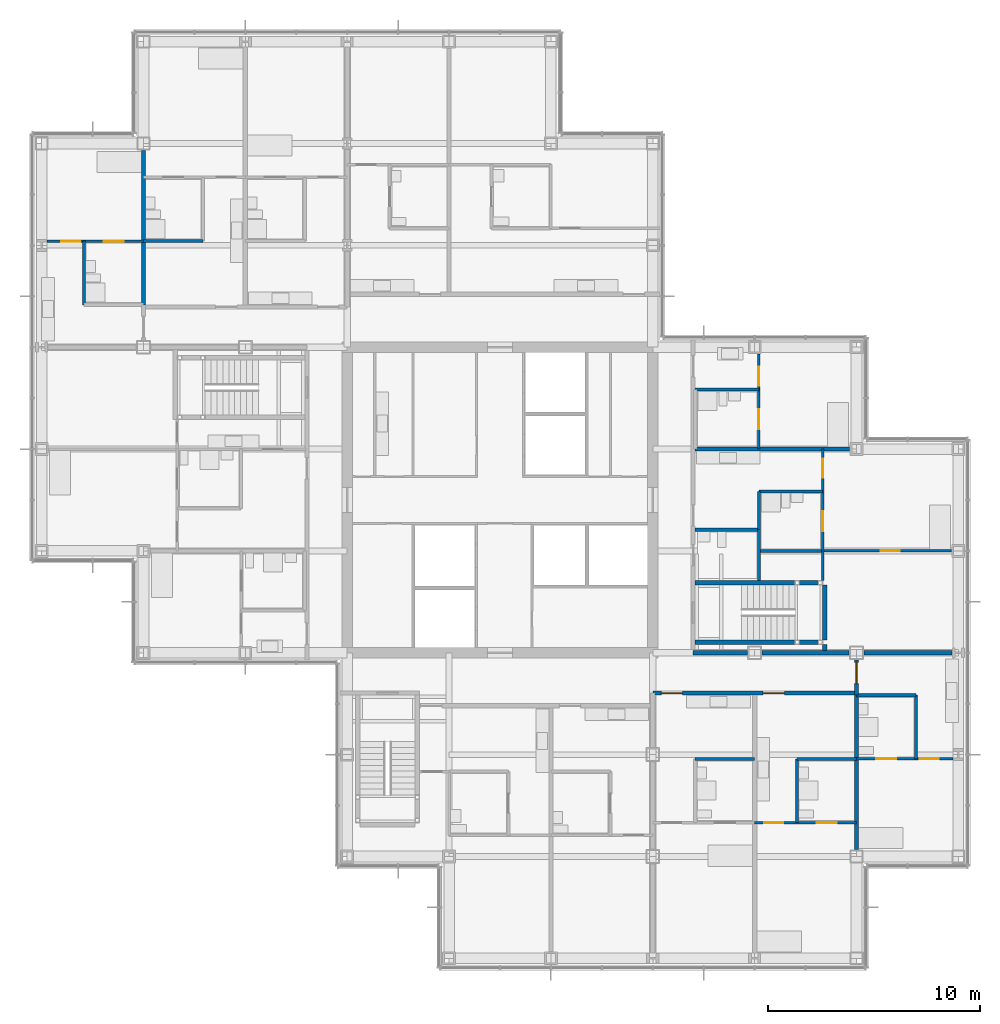
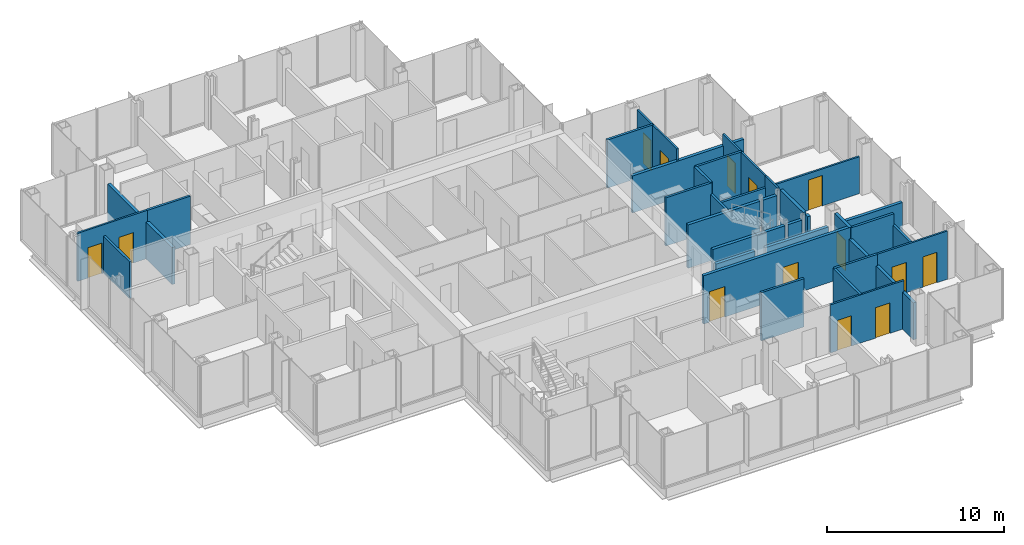
# One storey, part 15 of 19: 34 walls, 14 doors, 14 openings.
"""IFC4 building model written with IfcOpenShell, lengths in metres."""

from ifc_helpers import new_model, si_unit, direction, frame, frame_2d, origin, place, context, subcontext, project, spatial, rectangle, extrude, material, layer, layer_set, type_object, element, fill, save


model = new_model("IFC4")

# Units and contexts
model_context = context("Model", 3, precision=1e-05, world=origin(), true_north=direction((0.0, 1.0)))
body_context = subcontext(model_context, "Body", "Model", "MODEL_VIEW")
ifc_project = project(units=[si_unit("LENGTHUNIT", "METRE"), si_unit("AREAUNIT", "SQUARE_METRE"), si_unit("VOLUMEUNIT", "CUBIC_METRE"), si_unit("PLANEANGLEUNIT", "RADIAN"), si_unit("MASSUNIT", "GRAM", prefix="KILO")], contexts=[model_context])

# Site, building, storey
site_placement = place(None, origin())
site = spatial("IfcSite", under=ifc_project, at=site_placement, CompositionType="ELEMENT")
building_placement = place(site_placement, origin())
building = spatial("IfcBuilding", under=site, at=building_placement, Name="Kvirike Care Tower", CompositionType="ELEMENT")
storey_placement = place(building_placement, frame((0.0, 0.0, 108.5)))
storey = spatial("IfcBuildingStorey", under=building, at=storey_placement, Name="L29", CompositionType="ELEMENT", Elevation=108.5)

# Walls
ifc_material_1 = material(Name="Moisture-resistant board partition", Category="gypsum")
ifc_layer_1 = layer(ifc_material_1, 0.14990234375)
ifc_layer_set_1 = layer_set([ifc_layer_1], Name="BATHROOM WALL 150")
wall_type_1 = type_object("IfcWallType", Name="BATHROOM WALL 150", PredefinedType="PARTITIONING", material=ifc_layer_set_1)
wall_1_placement = place(storey_placement, frame((7.60009765625, 48.199951171875, 0.0), z_axis=(0.0, 0.0, 1.0), x_axis=(-1.0, 0.0, 0.0)))
element("IfcWall", 1, at=wall_1_placement, inside=storey, type_object=wall_type_1, Name="Bathroom Wall 150 L29", PredefinedType="PARTITIONING", context=body_context, shape_type="SweptSolid", body=[
    extrude(rectangle(XDim=2.800048828125, YDim=0.14990234375, at=frame_2d((1.39990234375, 0.0))), origin(), (0.0, 0.0, 1.0), 3.330078125),
])
wall_2_placement = place(storey_placement, frame((2.0, 48.199951171875, 0.0), z_axis=(0.0, 0.0, 1.0), x_axis=(0.0, -1.0, 0.0)))
element("IfcWall", 2, at=wall_2_placement, inside=storey, type_object=wall_type_1, Name="Bathroom Wall 150 L29", PredefinedType="PARTITIONING", context=body_context, shape_type="SweptSolid", body=[
    extrude(rectangle(XDim=3.0, YDim=0.14990234375, at=frame_2d((1.5, 0.0))), origin(), (0.0, 0.0, 1.0), 2.550048828125),
])
wall_3_placement = place(storey_placement, frame((30.800048828125, 23.800048828125, 0.0), z_axis=(0.0, 0.0, 1.0), x_axis=(1.0, 0.0, 0.0)))
element("IfcWall", 3, at=wall_3_placement, inside=storey, type_object=wall_type_1, Name="Bathroom Wall 150 L29", PredefinedType="PARTITIONING", context=body_context, shape_type="SweptSolid", body=[
    extrude(rectangle(XDim=2.800048828125, YDim=0.14990234375, at=frame_2d((1.39990234375, 0.0))), origin(), (0.0, 0.0, 1.0), 3.330078125),
])
wall_4_placement = place(storey_placement, frame((35.60009765625, 20.800048828125, 0.0), z_axis=(0.0, 0.0, 1.0), x_axis=(0.0, 1.0, 0.0)))
element("IfcWall", 4, at=wall_4_placement, inside=storey, type_object=wall_type_1, Name="Bathroom Wall 150 L29", PredefinedType="PARTITIONING", context=body_context, shape_type="SweptSolid", body=[
    extrude(rectangle(XDim=3.0, YDim=0.14990234375, at=frame_2d((1.5, 0.0))), origin(), (0.0, 0.0, 1.0), 3.330078125),
])
wall_5_placement = place(storey_placement, frame((35.60009765625, 23.800048828125, 0.0), z_axis=(0.0, 0.0, 1.0), x_axis=(1.0, 0.0, 0.0)))
element("IfcWall", 5, at=wall_5_placement, inside=storey, type_object=wall_type_1, Name="Bathroom Wall 150 L29", PredefinedType="PARTITIONING", context=body_context, shape_type="SweptSolid", body=[
    extrude(rectangle(XDim=2.7998046875, YDim=0.14990234375, at=frame_2d((1.39990234375, 0.0))), origin(), (0.0, 0.0, 1.0), 3.330078125),
])
wall_6_placement = place(storey_placement, frame((41.199951171875, 23.800048828125, 0.0), z_axis=(0.0, 0.0, 1.0), x_axis=(0.0, 1.0, 0.0)))
element("IfcWall", 6, at=wall_6_placement, inside=storey, type_object=wall_type_1, Name="Bathroom Wall 150 L29", PredefinedType="PARTITIONING", context=body_context, shape_type="SweptSolid", body=[
    extrude(rectangle(XDim=3.0, YDim=0.14990234375, at=frame_2d((1.5, 0.0))), origin(), (0.0, 0.0, 1.0), 2.550048828125),
])
wall_7_placement = place(storey_placement, frame((38.39990234375, 26.800048828125, 0.0), z_axis=(0.0, 0.0, 1.0), x_axis=(1.0, 0.0, 0.0)))
element("IfcWall", 7, at=wall_7_placement, inside=storey, type_object=wall_type_1, Name="Bathroom Wall 150 L29", PredefinedType="PARTITIONING", context=body_context, shape_type="SweptSolid", body=[
    extrude(rectangle(XDim=2.800048828125, YDim=0.14990234375, at=frame_2d((1.39990234375, 0.0))), origin(), (0.0, 0.0, 1.0), 3.330078125),
])
wall_8_placement = place(storey_placement, frame((33.800048828125, 32.199951171875, 0.0), z_axis=(0.0, 0.0, 1.0), x_axis=(0.0, 1.0, 0.0)))
element("IfcWall", 8, at=wall_8_placement, inside=storey, type_object=wall_type_1, Name="Bathroom Wall 150 L29", PredefinedType="PARTITIONING", context=body_context, shape_type="SweptSolid", body=[
    extrude(rectangle(XDim=2.400146484375, YDim=0.14990234375, at=frame_2d((1.2001953125, 0.0))), origin(), (0.0, 0.0, 1.0), 2.550048828125),
])
for number, where, z_axis, x_axis, name in (
    (9, (33.800048828125, 34.60009765625, 0.0), (0.0, 0.0, 1.0), (-1.0, 0.0, 0.0), "Bathroom Wall 150 L29"),
    (10, (36.800048828125, 36.39990234375, 0.0), (0.0, 0.0, 1.0), (-1.0, 0.0, 0.0), "Bathroom Wall 150 L29"),
):
    element("IfcWall", number, at=place(storey_placement, frame(where, z_axis=z_axis, x_axis=x_axis)), inside=storey, type_object=wall_type_1, Name=name, PredefinedType="PARTITIONING", context=body_context, shape_type="SweptSolid", body=[
        extrude(rectangle(XDim=3.0, YDim=0.14990234375, at=frame_2d((1.5, 0.0))), origin(), (0.0, 0.0, 1.0), 3.330078125),
    ])
wall_9_placement = place(storey_placement, frame((33.800048828125, 34.60009765625, 0.0), z_axis=(0.0, 0.0, 1.0), x_axis=(0.0, 1.0, 0.0)))
element("IfcWall", 11, at=wall_9_placement, inside=storey, type_object=wall_type_1, Name="Bathroom Wall 150 L29", PredefinedType="PARTITIONING", context=body_context, shape_type="SweptSolid", body=[
    extrude(rectangle(XDim=1.7998046875, YDim=0.14990234375, at=frame_2d((0.89990234375, 0.0))), origin(), (0.0, 0.0, 1.0), 3.330078125),
])
wall_10_placement = place(storey_placement, frame((33.800048828125, 41.199951171875, 0.0), z_axis=(0.0, 0.0, 1.0), x_axis=(-1.0, 0.0, 0.0)))
element("IfcWall", 12, at=wall_10_placement, inside=storey, type_object=wall_type_1, Name="Bathroom Wall 150 L29", PredefinedType="PARTITIONING", context=body_context, shape_type="SweptSolid", body=[
    extrude(rectangle(XDim=3.0, YDim=0.14990234375, at=frame_2d((1.5, 0.0))), origin(), (0.0, 0.0, 1.0), 3.330078125),
])
wall_11_placement = place(storey_placement, frame((36.739990234375, 33.60009765625, 0.0), z_axis=(0.0, 0.0, 1.0), x_axis=(-1.0, 0.0, 0.0)))
element("IfcWall", 13, at=wall_11_placement, inside=storey, type_object=wall_type_1, Name="Bathroom Wall 150 L29", PredefinedType="PARTITIONING", context=body_context, shape_type="SweptSolid", body=[
    extrude(rectangle(XDim=2.864990234375, YDim=0.14990234375, at=frame_2d((1.4326171875, 0.0))), origin(), (0.0, 0.0, 1.0), 2.550048828125),
])

# Wall, openings, doors
ifc_material_2 = material(Name="Plasterboard corridor wall", Category="gypsum")
ifc_layer_2 = layer(ifc_material_2, 0.199951171875)
ifc_layer_set_2 = layer_set([ifc_layer_2], Name="CORRIDOR WALL 200")
wall_type_2 = type_object("IfcWallType", Name="CORRIDOR WALL 200", PredefinedType="PARTITIONING", material=ifc_layer_set_2)
wall_12_placement = place(storey_placement, frame((28.800048828125, 26.89990234375, 0.0), z_axis=(0.0, 0.0, 1.0), x_axis=(1.0, 0.0, 0.0)))
wall_12 = element("IfcWall", 14, at=wall_12_placement, inside=storey, type_object=wall_type_2, Name="Corridor Wall 200 L29", PredefinedType="PARTITIONING", context=body_context, shape_type="SweptSolid", body=[
    extrude(rectangle(XDim=9.599853515625, YDim=0.199951171875, at=frame_2d((4.7998046875, 0.0))), origin(), (0.0, 0.0, 1.0), 3.330078125),
])
opening_1_placement = place(wall_12_placement, frame((0.39990234375, 0.0, 0.0)))
opening_1 = element("IfcOpeningElement", 15, at=opening_1_placement, cuts=wall_12, Name="Opening 29-038", PredefinedType="OPENING", context=body_context, shape_type="SweptSolid", body=[
    extrude(rectangle(XDim=1.0, YDim=2.10009765625, at=frame_2d((0.5, 1.050048828125))), frame((0.0, 0.110595703125, 0.0), z_axis=(0.0, -1.0, 0.0), x_axis=(1.0, 0.0, 0.0)), (0.0, 0.0, 1.0), 0.220947265625),
])
opening_2_placement = place(wall_12_placement, frame((5.199951171875, 0.0, 0.0)))
opening_2 = element("IfcOpeningElement", 16, at=opening_2_placement, cuts=wall_12, Name="Opening 29-039", PredefinedType="OPENING", context=body_context, shape_type="SweptSolid", body=[
    extrude(rectangle(XDim=1.0, YDim=2.10009765625, at=frame_2d((0.5, 1.050048828125))), frame((0.0, 0.110595703125, 0.0), z_axis=(0.0, -1.0, 0.0), x_axis=(1.0, 0.0, 0.0)), (0.0, 0.0, 1.0), 0.220947265625),
])
ifc_material_3 = material(Name="Timber door set", Category="wood")
door_type_1 = type_object("IfcDoorType", Name="FLAT ENTRANCE DOOR 1000", OperationType="SINGLE_SWING_LEFT", PredefinedType="DOOR", material=ifc_material_3)
door_1_placement = place(opening_1_placement, frame((1.0, 0.0, 0.0), z_axis=(0.0, 0.0, 1.0), x_axis=(-1.0, 0.0, 0.0)))
door_1 = element("IfcDoor", 17, at=door_1_placement, inside=storey, type_object=door_type_1, Name="Assisted living suite entrance", OperationType="SINGLE_SWING_RIGHT", OverallHeight=2.10009765625, OverallWidth=1.0, PredefinedType="DOOR", context=body_context, shape_type="SweptSolid", body=[
    extrude(rectangle(XDim=1.0, YDim=2.10009765625, at=frame_2d((0.5, 1.050048828125))), frame((0.0, 0.02685546875, 0.0), z_axis=(0.0, -1.0, 0.0), x_axis=(1.0, 0.0, 0.0)), (0.0, 0.0, 1.0), 0.053955078125),
])
fill(opening_1, door_1)
door_2_placement = place(opening_2_placement, frame((1.0, 0.0, 0.0), z_axis=(0.0, 0.0, 1.0), x_axis=(-1.0, 0.0, 0.0)))
door_2 = element("IfcDoor", 18, at=door_2_placement, inside=storey, type_object=door_type_1, Name="Assisted living suite entrance", OperationType="SINGLE_SWING_LEFT", OverallHeight=2.10009765625, OverallWidth=1.0, PredefinedType="DOOR", context=body_context, shape_type="SweptSolid", body=[
    extrude(rectangle(XDim=1.0, YDim=2.10009765625, at=frame_2d((0.5, 1.050048828125))), frame((0.0, 0.02685546875, 0.0), z_axis=(0.0, -1.0, 0.0), x_axis=(1.0, 0.0, 0.0)), (0.0, 0.0, 1.0), 0.053955078125),
])
fill(opening_2, door_2)

# Wall, opening, door
wall_13_placement = place(storey_placement, frame((38.39990234375, 26.800048828125, 0.0), z_axis=(0.0, 0.0, 1.0), x_axis=(0.0, 1.0, 0.0)))
wall_13 = element("IfcWall", 19, at=wall_13_placement, inside=storey, type_object=wall_type_2, Name="Corridor Wall 200 L29", PredefinedType="PARTITIONING", context=body_context, shape_type="SweptSolid", body=[
    extrude(rectangle(XDim=1.655029296875, YDim=0.199951171875, at=frame_2d((0.82763671875, 0.0))), origin(), (0.0, 0.0, 1.0), 3.330078125),
])
opening_3_placement = place(wall_13_placement, frame((0.550048828125, 0.0, 0.0)))
opening_3 = element("IfcOpeningElement", 20, at=opening_3_placement, cuts=wall_13, Name="Opening 29-040", PredefinedType="OPENING", context=body_context, shape_type="SweptSolid", body=[
    extrude(rectangle(XDim=1.0, YDim=2.10009765625, at=frame_2d((0.5, 1.050048828125))), frame((0.0, 0.110595703125, 0.0), z_axis=(0.0, -1.0, 0.0), x_axis=(1.0, 0.0, 0.0)), (0.0, 0.0, 1.0), 0.220947265625),
])
door_3_placement = place(opening_3_placement, frame((1.0, 0.0, 0.0), z_axis=(0.0, 0.0, 1.0), x_axis=(-1.0, 0.0, 0.0)))
door_3 = element("IfcDoor", 21, at=door_3_placement, inside=storey, type_object=door_type_1, Name="Assisted living suite entrance", OperationType="SINGLE_SWING_RIGHT", OverallHeight=2.10009765625, OverallWidth=1.0, PredefinedType="DOOR", context=body_context, shape_type="SweptSolid", body=[
    extrude(rectangle(XDim=1.0, YDim=2.10009765625, at=frame_2d((0.5, 1.050048828125))), frame((0.0, 0.02685546875, 0.0), z_axis=(0.0, -1.0, 0.0), x_axis=(1.0, 0.0, 0.0)), (0.0, 0.0, 1.0), 0.053955078125),
])
fill(opening_3, door_3)

# Wall, openings, doors
ifc_material_4 = material(Name="Plasterboard partition", Category="gypsum")
ifc_layer_3 = layer(ifc_material_4, 0.1201171875)
ifc_layer_set_3 = layer_set([ifc_layer_3], Name="PARTITION 120")
wall_type_3 = type_object("IfcWallType", Name="PARTITION 120", PredefinedType="PARTITIONING", material=ifc_layer_set_3)
wall_14_placement = place(storey_placement, frame((4.800048828125, 48.199951171875, 0.0), z_axis=(0.0, 0.0, 1.0), x_axis=(-1.0, 0.0, 0.0)))
wall_14 = element("IfcWall", 22, at=wall_14_placement, inside=storey, type_object=wall_type_3, Name="Partition 120 L29", PredefinedType="PARTITIONING", context=body_context, shape_type="SweptSolid", body=[
    extrude(rectangle(XDim=4.552978515625, YDim=0.1201171875, at=frame_2d((2.2763671875, 0.0))), origin(), (0.0, 0.0, 1.0), 3.330078125),
])
opening_4_placement = place(wall_14_placement, frame((2.97509765625, 0.0, 0.0)))
opening_4 = element("IfcOpeningElement", 23, at=opening_4_placement, cuts=wall_14, Name="Opening 29-014", PredefinedType="OPENING", context=body_context, shape_type="SweptSolid", body=[
    extrude(rectangle(XDim=0.89990234375, YDim=2.10009765625, at=frame_2d((0.449951171875, 1.050048828125))), frame((0.0, 0.070556640625, 0.0), z_axis=(0.0, -1.0, 0.0), x_axis=(1.0, 0.0, 0.0)), (0.0, 0.0, 1.0), 0.14111328125),
])
opening_5_placement = place(wall_14_placement, frame((0.925048828125, 0.0, 0.0)))
opening_5 = element("IfcOpeningElement", 24, at=opening_5_placement, cuts=wall_14, Name="Opening 29-015", PredefinedType="OPENING", context=body_context, shape_type="SweptSolid", body=[
    extrude(rectangle(XDim=0.949951171875, YDim=2.10009765625, at=frame_2d((0.47509765625, 1.050048828125))), frame((0.0, 0.070556640625, 0.0), z_axis=(0.0, -1.0, 0.0), x_axis=(1.0, 0.0, 0.0)), (0.0, 0.0, 1.0), 0.14111328125),
])
ifc_material_5 = material(Name="Timber door set", Category="wood")
door_type_2 = type_object("IfcDoorType", Name="EN-SUITE SLIDING DOOR 950", OperationType="SLIDING_TO_LEFT", PredefinedType="DOOR", material=ifc_material_5)
door_4_placement = place(opening_5_placement, origin())
door_4 = element("IfcDoor", 25, at=door_4_placement, inside=storey, type_object=door_type_2, Name="En-suite door", OperationType="SLIDING_TO_LEFT", OverallHeight=2.10009765625, OverallWidth=0.949951171875, PredefinedType="DOOR", context=body_context, shape_type="SweptSolid", body=[
    extrude(rectangle(XDim=0.949951171875, YDim=2.10009765625, at=frame_2d((0.47509765625, 1.050048828125))), frame((0.0, 0.02197265625, 0.0), z_axis=(0.0, -1.0, 0.0), x_axis=(1.0, 0.0, 0.0)), (0.0, 0.0, 1.0), 0.0439453125),
])
fill(opening_5, door_4)
ifc_material_6 = material(Name="Timber door set", Category="wood")
door_type_3 = type_object("IfcDoorType", Name="INTERNAL DOOR 900", OperationType="SINGLE_SWING_LEFT", PredefinedType="DOOR", material=ifc_material_6)
door_5_placement = place(opening_4_placement, origin())
door_5 = element("IfcDoor", 26, at=door_5_placement, inside=storey, type_object=door_type_3, Name="Assisted living suite door", OperationType="SINGLE_SWING_RIGHT", OverallHeight=2.10009765625, OverallWidth=0.89990234375, PredefinedType="DOOR", context=body_context, shape_type="SweptSolid", body=[
    extrude(rectangle(XDim=0.89990234375, YDim=2.10009765625, at=frame_2d((0.449951171875, 1.050048828125))), frame((0.0, 0.02197265625, 0.0), z_axis=(0.0, -1.0, 0.0), x_axis=(1.0, 0.0, 0.0)), (0.0, 0.0, 1.0), 0.0439453125),
])
fill(opening_4, door_5)

wall_15_placement = place(storey_placement, frame((33.60009765625, 20.800048828125, 0.0), z_axis=(0.0, 0.0, 1.0), x_axis=(1.0, 0.0, 0.0)))
wall_15 = element("IfcWall", 27, at=wall_15_placement, inside=storey, type_object=wall_type_3, Name="Partition 120 L29", PredefinedType="PARTITIONING", context=body_context, shape_type="SweptSolid", body=[
    extrude(rectangle(XDim=4.7998046875, YDim=0.1201171875, at=frame_2d((2.39990234375, 0.0))), origin(), (0.0, 0.0, 1.0), 3.330078125),
])
opening_6_placement = place(wall_15_placement, frame((0.449951171875, 0.0, 0.0)))
opening_6 = element("IfcOpeningElement", 28, at=opening_6_placement, cuts=wall_15, Name="Opening 29-034", PredefinedType="OPENING", context=body_context, shape_type="SweptSolid", body=[
    extrude(rectangle(XDim=0.89990234375, YDim=2.10009765625, at=frame_2d((0.449951171875, 1.050048828125))), frame((0.0, 0.070556640625, 0.0), z_axis=(0.0, -1.0, 0.0), x_axis=(1.0, 0.0, 0.0)), (0.0, 0.0, 1.0), 0.14111328125),
])
opening_7_placement = place(wall_15_placement, frame((2.925048828125, 0.0, 0.0)))
opening_7 = element("IfcOpeningElement", 29, at=opening_7_placement, cuts=wall_15, Name="Opening 29-035", PredefinedType="OPENING", context=body_context, shape_type="SweptSolid", body=[
    extrude(rectangle(XDim=0.949951171875, YDim=2.10009765625, at=frame_2d((0.47509765625, 1.050048828125))), frame((0.0, 0.070556640625, 0.0), z_axis=(0.0, -1.0, 0.0), x_axis=(1.0, 0.0, 0.0)), (0.0, 0.0, 1.0), 0.14111328125),
])
door_6_placement = place(opening_7_placement, origin())
door_6 = element("IfcDoor", 30, at=door_6_placement, inside=storey, type_object=door_type_2, Name="En-suite door", OperationType="SLIDING_TO_LEFT", OverallHeight=2.10009765625, OverallWidth=0.949951171875, PredefinedType="DOOR", context=body_context, shape_type="SweptSolid", body=[
    extrude(rectangle(XDim=0.949951171875, YDim=2.10009765625, at=frame_2d((0.47509765625, 1.050048828125))), frame((0.0, 0.02197265625, 0.0), z_axis=(0.0, -1.0, 0.0), x_axis=(1.0, 0.0, 0.0)), (0.0, 0.0, 1.0), 0.0439453125),
])
fill(opening_7, door_6)
door_7_placement = place(opening_6_placement, origin())
door_7 = element("IfcDoor", 31, at=door_7_placement, inside=storey, type_object=door_type_3, Name="Assisted living suite door", OperationType="SINGLE_SWING_RIGHT", OverallHeight=2.10009765625, OverallWidth=0.89990234375, PredefinedType="DOOR", context=body_context, shape_type="SweptSolid", body=[
    extrude(rectangle(XDim=0.89990234375, YDim=2.10009765625, at=frame_2d((0.449951171875, 1.050048828125))), frame((0.0, 0.02197265625, 0.0), z_axis=(0.0, -1.0, 0.0), x_axis=(1.0, 0.0, 0.0)), (0.0, 0.0, 1.0), 0.0439453125),
])
fill(opening_6, door_7)

wall_16_placement = place(storey_placement, frame((38.39990234375, 23.800048828125, 0.0), z_axis=(0.0, 0.0, 1.0), x_axis=(1.0, 0.0, 0.0)))
wall_16 = element("IfcWall", 32, at=wall_16_placement, inside=storey, type_object=wall_type_3, Name="Partition 120 L29", PredefinedType="PARTITIONING", context=body_context, shape_type="SweptSolid", body=[
    extrude(rectangle(XDim=4.552978515625, YDim=0.1201171875, at=frame_2d((2.2763671875, 0.0))), origin(), (0.0, 0.0, 1.0), 3.330078125),
])
opening_8_placement = place(wall_16_placement, frame((2.97509765625, 0.0, 0.0)))
opening_8 = element("IfcOpeningElement", 33, at=opening_8_placement, cuts=wall_16, Name="Opening 29-036", PredefinedType="OPENING", context=body_context, shape_type="SweptSolid", body=[
    extrude(rectangle(XDim=0.89990234375, YDim=2.10009765625, at=frame_2d((0.449951171875, 1.050048828125))), frame((0.0, 0.070556640625, 0.0), z_axis=(0.0, -1.0, 0.0), x_axis=(1.0, 0.0, 0.0)), (0.0, 0.0, 1.0), 0.14111328125),
])
opening_9_placement = place(wall_16_placement, frame((0.925048828125, 0.0, 0.0)))
opening_9 = element("IfcOpeningElement", 34, at=opening_9_placement, cuts=wall_16, Name="Opening 29-037", PredefinedType="OPENING", context=body_context, shape_type="SweptSolid", body=[
    extrude(rectangle(XDim=0.949951171875, YDim=2.10009765625, at=frame_2d((0.47509765625, 1.050048828125))), frame((0.0, 0.070556640625, 0.0), z_axis=(0.0, -1.0, 0.0), x_axis=(1.0, 0.0, 0.0)), (0.0, 0.0, 1.0), 0.14111328125),
])
door_8_placement = place(opening_9_placement, origin())
door_8 = element("IfcDoor", 35, at=door_8_placement, inside=storey, type_object=door_type_2, Name="En-suite door", OperationType="SLIDING_TO_LEFT", OverallHeight=2.10009765625, OverallWidth=0.949951171875, PredefinedType="DOOR", context=body_context, shape_type="SweptSolid", body=[
    extrude(rectangle(XDim=0.949951171875, YDim=2.10009765625, at=frame_2d((0.47509765625, 1.050048828125))), frame((0.0, 0.02197265625, 0.0), z_axis=(0.0, -1.0, 0.0), x_axis=(1.0, 0.0, 0.0)), (0.0, 0.0, 1.0), 0.0439453125),
])
fill(opening_9, door_8)
door_9_placement = place(opening_8_placement, origin())
door_9 = element("IfcDoor", 36, at=door_9_placement, inside=storey, type_object=door_type_3, Name="Assisted living suite door", OperationType="SINGLE_SWING_RIGHT", OverallHeight=2.10009765625, OverallWidth=0.89990234375, PredefinedType="DOOR", context=body_context, shape_type="SweptSolid", body=[
    extrude(rectangle(XDim=0.89990234375, YDim=2.10009765625, at=frame_2d((0.449951171875, 1.050048828125))), frame((0.0, 0.02197265625, 0.0), z_axis=(0.0, -1.0, 0.0), x_axis=(1.0, 0.0, 0.0)), (0.0, 0.0, 1.0), 0.0439453125),
])
fill(opening_8, door_9)

# Wall
wall_17_placement = place(storey_placement, frame((36.800048828125, 32.199951171875, 0.0), z_axis=(0.0, 0.0, 1.0), x_axis=(0.0, 1.0, 0.0)))
element("IfcWall", 37, at=wall_17_placement, inside=storey, type_object=wall_type_3, Name="Partition 120 L29", PredefinedType="PARTITIONING", context=body_context, shape_type="SweptSolid", body=[
    extrude(rectangle(XDim=1.400146484375, YDim=0.1201171875, at=frame_2d((0.7001953125, 0.0))), origin(), (0.0, 0.0, 1.0), 3.330078125),
])

# Wall, openings, doors
wall_18_placement = place(storey_placement, frame((36.800048828125, 33.60009765625, 0.0), z_axis=(0.0, 0.0, 1.0), x_axis=(0.0, 1.0, 0.0)))
wall_18 = element("IfcWall", 38, at=wall_18_placement, inside=storey, type_object=wall_type_3, Name="Partition 120 L29", PredefinedType="PARTITIONING", context=body_context, shape_type="SweptSolid", body=[
    extrude(rectangle(XDim=4.7998046875, YDim=0.1201171875, at=frame_2d((2.39990234375, 0.0))), origin(), (0.0, 0.0, 1.0), 3.330078125),
])
opening_10_placement = place(wall_18_placement, frame((3.449951171875, 0.0, 0.0)))
opening_10 = element("IfcOpeningElement", 39, at=opening_10_placement, cuts=wall_18, Name="Opening 29-041", PredefinedType="OPENING", context=body_context, shape_type="SweptSolid", body=[
    extrude(rectangle(XDim=0.89990234375, YDim=2.10009765625, at=frame_2d((0.449951171875, 1.050048828125))), frame((0.0, 0.070556640625, 0.0), z_axis=(0.0, -1.0, 0.0), x_axis=(1.0, 0.0, 0.0)), (0.0, 0.0, 1.0), 0.14111328125),
])
opening_11_placement = place(wall_18_placement, frame((0.925048828125, 0.0, 0.0)))
opening_11 = element("IfcOpeningElement", 40, at=opening_11_placement, cuts=wall_18, Name="Opening 29-042", PredefinedType="OPENING", context=body_context, shape_type="SweptSolid", body=[
    extrude(rectangle(XDim=0.949951171875, YDim=2.10009765625, at=frame_2d((0.47509765625, 1.050048828125))), frame((0.0, 0.070556640625, 0.0), z_axis=(0.0, -1.0, 0.0), x_axis=(1.0, 0.0, 0.0)), (0.0, 0.0, 1.0), 0.14111328125),
])
door_10_placement = place(opening_11_placement, origin())
door_10 = element("IfcDoor", 41, at=door_10_placement, inside=storey, type_object=door_type_2, Name="En-suite door", OperationType="SLIDING_TO_RIGHT", OverallHeight=2.10009765625, OverallWidth=0.949951171875, PredefinedType="DOOR", context=body_context, shape_type="SweptSolid", body=[
    extrude(rectangle(XDim=0.949951171875, YDim=2.10009765625, at=frame_2d((0.47509765625, 1.050048828125))), frame((0.0, 0.02197265625, 0.0), z_axis=(0.0, -1.0, 0.0), x_axis=(1.0, 0.0, 0.0)), (0.0, 0.0, 1.0), 0.0439453125),
])
fill(opening_11, door_10)
door_11_placement = place(opening_10_placement, origin())
door_11 = element("IfcDoor", 42, at=door_11_placement, inside=storey, type_object=door_type_3, Name="Assisted living suite door", OperationType="SINGLE_SWING_LEFT", OverallHeight=2.10009765625, OverallWidth=0.89990234375, PredefinedType="DOOR", context=body_context, shape_type="SweptSolid", body=[
    extrude(rectangle(XDim=0.89990234375, YDim=2.10009765625, at=frame_2d((0.449951171875, 1.050048828125))), frame((0.0, 0.02197265625, 0.0), z_axis=(0.0, -1.0, 0.0), x_axis=(1.0, 0.0, 0.0)), (0.0, 0.0, 1.0), 0.0439453125),
])
fill(opening_10, door_11)

# Wall, opening, door
wall_19_placement = place(storey_placement, frame((42.8798828125, 33.60009765625, 0.0), z_axis=(0.0, 0.0, 1.0), x_axis=(-1.0, 0.0, 0.0)))
wall_19 = element("IfcWall", 43, at=wall_19_placement, inside=storey, type_object=wall_type_3, Name="Partition 120 L29", PredefinedType="PARTITIONING", context=body_context, shape_type="SweptSolid", body=[
    extrude(rectangle(XDim=6.079833984375, YDim=0.1201171875, at=frame_2d((3.0400390625, 0.0))), origin(), (0.0, 0.0, 1.0), 2.550048828125),
])
opening_12_placement = place(wall_19_placement, frame((2.429931640625, 0.0, 0.0)))
opening_12 = element("IfcOpeningElement", 44, at=opening_12_placement, cuts=wall_19, Name="Opening 29-043", PredefinedType="OPENING", context=body_context, shape_type="SweptSolid", body=[
    extrude(rectangle(XDim=0.89990234375, YDim=2.10009765625, at=frame_2d((0.449951171875, 1.050048828125))), frame((0.0, 0.070556640625, 0.0), z_axis=(0.0, -1.0, 0.0), x_axis=(1.0, 0.0, 0.0)), (0.0, 0.0, 1.0), 0.14111328125),
])
door_12_placement = place(opening_12_placement, origin())
door_12 = element("IfcDoor", 45, at=door_12_placement, inside=storey, type_object=door_type_3, Name="Connecting door", OperationType="SINGLE_SWING_RIGHT", OverallHeight=2.10009765625, OverallWidth=0.89990234375, PredefinedType="DOOR", context=body_context, shape_type="SweptSolid", body=[
    extrude(rectangle(XDim=0.89990234375, YDim=2.10009765625, at=frame_2d((0.449951171875, 1.050048828125))), frame((0.0, 0.02197265625, 0.0), z_axis=(0.0, -1.0, 0.0), x_axis=(1.0, 0.0, 0.0)), (0.0, 0.0, 1.0), 0.0439453125),
])
fill(opening_12, door_12)

# Wall, openings, doors
wall_20_placement = place(storey_placement, frame((33.800048828125, 38.39990234375, 0.0), z_axis=(0.0, 0.0, 1.0), x_axis=(0.0, 1.0, 0.0)))
wall_20 = element("IfcWall", 46, at=wall_20_placement, inside=storey, type_object=wall_type_3, Name="Partition 120 L29", PredefinedType="PARTITIONING", context=body_context, shape_type="SweptSolid", body=[
    extrude(rectangle(XDim=4.47998046875, YDim=0.1201171875, at=frame_2d((2.239990234375, 0.0))), origin(), (0.0, 0.0, 1.0), 3.330078125),
])
opening_13_placement = place(wall_20_placement, frame((2.97509765625, 0.0, 0.0)))
opening_13 = element("IfcOpeningElement", 47, at=opening_13_placement, cuts=wall_20, Name="Opening 29-044", PredefinedType="OPENING", context=body_context, shape_type="SweptSolid", body=[
    extrude(rectangle(XDim=0.89990234375, YDim=2.10009765625, at=frame_2d((0.449951171875, 1.050048828125))), frame((0.0, 0.070556640625, 0.0), z_axis=(0.0, -1.0, 0.0), x_axis=(1.0, 0.0, 0.0)), (0.0, 0.0, 1.0), 0.14111328125),
])
opening_14_placement = place(wall_20_placement, frame((0.925048828125, 0.0, 0.0)))
opening_14 = element("IfcOpeningElement", 48, at=opening_14_placement, cuts=wall_20, Name="Opening 29-045", PredefinedType="OPENING", context=body_context, shape_type="SweptSolid", body=[
    extrude(rectangle(XDim=0.949951171875, YDim=2.10009765625, at=frame_2d((0.47509765625, 1.050048828125))), frame((0.0, 0.070556640625, 0.0), z_axis=(0.0, -1.0, 0.0), x_axis=(1.0, 0.0, 0.0)), (0.0, 0.0, 1.0), 0.14111328125),
])
door_13_placement = place(opening_14_placement, origin())
door_13 = element("IfcDoor", 49, at=door_13_placement, inside=storey, type_object=door_type_2, Name="En-suite door", OperationType="SLIDING_TO_LEFT", OverallHeight=2.10009765625, OverallWidth=0.949951171875, PredefinedType="DOOR", context=body_context, shape_type="SweptSolid", body=[
    extrude(rectangle(XDim=0.949951171875, YDim=2.10009765625, at=frame_2d((0.47509765625, 1.050048828125))), frame((0.0, 0.02197265625, 0.0), z_axis=(0.0, -1.0, 0.0), x_axis=(1.0, 0.0, 0.0)), (0.0, 0.0, 1.0), 0.0439453125),
])
fill(opening_14, door_13)
door_14_placement = place(opening_13_placement, origin())
door_14 = element("IfcDoor", 50, at=door_14_placement, inside=storey, type_object=door_type_3, Name="Assisted living suite door", OperationType="SINGLE_SWING_RIGHT", OverallHeight=2.10009765625, OverallWidth=0.89990234375, PredefinedType="DOOR", context=body_context, shape_type="SweptSolid", body=[
    extrude(rectangle(XDim=0.89990234375, YDim=2.10009765625, at=frame_2d((0.449951171875, 1.050048828125))), frame((0.0, 0.02197265625, 0.0), z_axis=(0.0, -1.0, 0.0), x_axis=(1.0, 0.0, 0.0)), (0.0, 0.0, 1.0), 0.0439453125),
])
fill(opening_13, door_14)

# Walls
ifc_material_7 = material(Name="Plasterboard party wall", Category="gypsum")
ifc_layer_4 = layer(ifc_material_7, 0.199951171875)
ifc_layer_set_4 = layer_set([ifc_layer_4], Name="PARTY WALL 200")
wall_type_4 = type_object("IfcWallType", Name="PARTY WALL 200", PredefinedType="PARTITIONING", material=ifc_layer_set_4)
for number, where, z_axis, x_axis, name in (
    (51, (4.800048828125, 52.47998046875, 0.0), (0.0, 0.0, 1.0), (0.0, -1.0, 0.0), "Party Wall 200 L29"),
    (52, (38.39990234375, 19.52001953125, 0.0), (0.0, 0.0, 1.0), (0.0, 1.0, 0.0), "Party Wall 200 L29"),
    (53, (38.080078125, 38.39990234375, 0.0), (0.0, 0.0, 1.0), (-1.0, 0.0, 0.0), "Party Wall 200 L29"),
):
    element("IfcWall", number, at=place(storey_placement, frame(where, z_axis=z_axis, x_axis=x_axis)), inside=storey, type_object=wall_type_4, Name=name, PredefinedType="PARTITIONING", context=body_context, shape_type="SweptSolid", body=[
        extrude(rectangle(XDim=7.280029296875, YDim=0.199951171875, at=frame_2d((3.64013671875, 0.0))), origin(), (0.0, 0.0, 1.0), 2.550048828125),
    ])
wall_21_placement = place(storey_placement, frame((42.8955078125, 28.800048828125, 0.0), z_axis=(0.0, 0.0, 1.0), x_axis=(-1.0, 0.0, 0.0)))
element("IfcWall", 54, at=wall_21_placement, inside=storey, type_object=wall_type_4, Name="Party Wall 200 L29", PredefinedType="PARTITIONING", context=body_context, shape_type="SweptSolid", body=[
    extrude(rectangle(XDim=4.150390625, YDim=0.199951171875, at=frame_2d((2.0751953125, 0.0))), origin(), (0.0, 0.0, 1.0), 2.320068359375),
])
wall_22_placement = place(storey_placement, frame((38.054931640625, 28.800048828125, 0.0), z_axis=(0.0, 0.0, 1.0), x_axis=(-1.0, 0.0, 0.0)))
element("IfcWall", 55, at=wall_22_placement, inside=storey, type_object=wall_type_4, Name="Party Wall 200 L29", PredefinedType="PARTITIONING", context=body_context, shape_type="SweptSolid", body=[
    extrude(rectangle(XDim=4.10986328125, YDim=0.199951171875, at=frame_2d((2.054931640625, 0.0))), origin(), (0.0, 0.0, 1.0), 2.320068359375),
])
wall_23_placement = place(storey_placement, frame((33.2548828125, 28.800048828125, 0.0), z_axis=(0.0, 0.0, 1.0), x_axis=(-1.0, 0.0, 0.0)))
element("IfcWall", 56, at=wall_23_placement, inside=storey, type_object=wall_type_4, Name="Party Wall 200 L29", PredefinedType="PARTITIONING", context=body_context, shape_type="SweptSolid", body=[
    extrude(rectangle(XDim=2.554931640625, YDim=0.199951171875, at=frame_2d((1.27734375, 0.0))), origin(), (0.0, 0.0, 1.0), 2.320068359375),
])
ifc_material_8 = material(Name="Concrete C40/50", Category="concrete")
ifc_layer_5 = layer(ifc_material_8, 0.199951171875)
ifc_layer_set_5 = layer_set([ifc_layer_5], Name="STAIR WALL 200")
wall_type_5 = type_object("IfcWallType", Name="STAIR WALL 200", PredefinedType="SOLIDWALL", material=ifc_layer_set_5)
wall_24_placement = place(storey_placement, frame((36.60009765625, 29.300048828125, 0.0), z_axis=(0.0, 0.0, 1.0), x_axis=(-1.0, 0.0, 0.0)))
element("IfcWall", 57, at=wall_24_placement, inside=storey, type_object=wall_type_5, Name="Stair Wall 200 L29", PredefinedType="SOLIDWALL", context=body_context, shape_type="SweptSolid", body=[
    extrude(rectangle(XDim=0.900146484375, YDim=0.199951171875, at=frame_2d((0.4501953125, 0.0))), origin(), (0.0, 0.0, 1.0), 2.989990234375),
])
wall_25_placement = place(storey_placement, frame((35.5, 29.300048828125, 0.0), z_axis=(0.0, 0.0, 1.0), x_axis=(-1.0, 0.0, 0.0)))
element("IfcWall", 58, at=wall_25_placement, inside=storey, type_object=wall_type_5, Name="Stair Wall 200 L29", PredefinedType="SOLIDWALL", context=body_context, shape_type="SweptSolid", body=[
    extrude(rectangle(XDim=4.699951171875, YDim=0.199951171875, at=frame_2d((2.35009765625, 0.0))), origin(), (0.0, 0.0, 1.0), 2.989990234375),
])
wall_26_placement = place(storey_placement, frame((36.60009765625, 32.10009765625, 0.0), z_axis=(0.0, 0.0, 1.0), x_axis=(-1.0, 0.0, 0.0)))
element("IfcWall", 59, at=wall_26_placement, inside=storey, type_object=wall_type_5, Name="Stair Wall 200 L29", PredefinedType="SOLIDWALL", context=body_context, shape_type="SweptSolid", body=[
    extrude(rectangle(XDim=0.900146484375, YDim=0.199951171875, at=frame_2d((0.4501953125, 0.0))), origin(), (0.0, 0.0, 1.0), 2.989990234375),
])
wall_27_placement = place(storey_placement, frame((35.5, 32.10009765625, 0.0), z_axis=(0.0, 0.0, 1.0), x_axis=(-1.0, 0.0, 0.0)))
element("IfcWall", 60, at=wall_27_placement, inside=storey, type_object=wall_type_5, Name="Stair Wall 200 L29", PredefinedType="SOLIDWALL", context=body_context, shape_type="SweptSolid", body=[
    extrude(rectangle(XDim=4.699951171875, YDim=0.199951171875, at=frame_2d((2.35009765625, 0.0))), origin(), (0.0, 0.0, 1.0), 2.989990234375),
])
wall_28_placement = place(storey_placement, frame((36.89990234375, 28.89990234375, 0.0), z_axis=(0.0, 0.0, 1.0), x_axis=(0.0, 1.0, 0.0)))
element("IfcWall", 61, at=wall_28_placement, inside=storey, type_object=wall_type_5, Name="Stair Wall 200 L29", PredefinedType="SOLIDWALL", context=body_context, shape_type="SweptSolid", body=[
    extrude(rectangle(XDim=0.300048828125, YDim=0.199951171875, at=frame_2d((0.14990234375, 0.0))), origin(), (0.0, 0.0, 1.0), 3.330078125),
])
wall_29_placement = place(storey_placement, frame((36.89990234375, 29.39990234375, 0.0), z_axis=(0.0, 0.0, 1.0), x_axis=(0.0, 1.0, 0.0)))
element("IfcWall", 62, at=wall_29_placement, inside=storey, type_object=wall_type_5, Name="Stair Wall 200 L29", PredefinedType="SOLIDWALL", context=body_context, shape_type="SweptSolid", body=[
    extrude(rectangle(XDim=2.60009765625, YDim=0.199951171875, at=frame_2d((1.300048828125, 0.0))), origin(), (0.0, 0.0, 1.0), 3.330078125),
])

save(model, "model.ifc")
